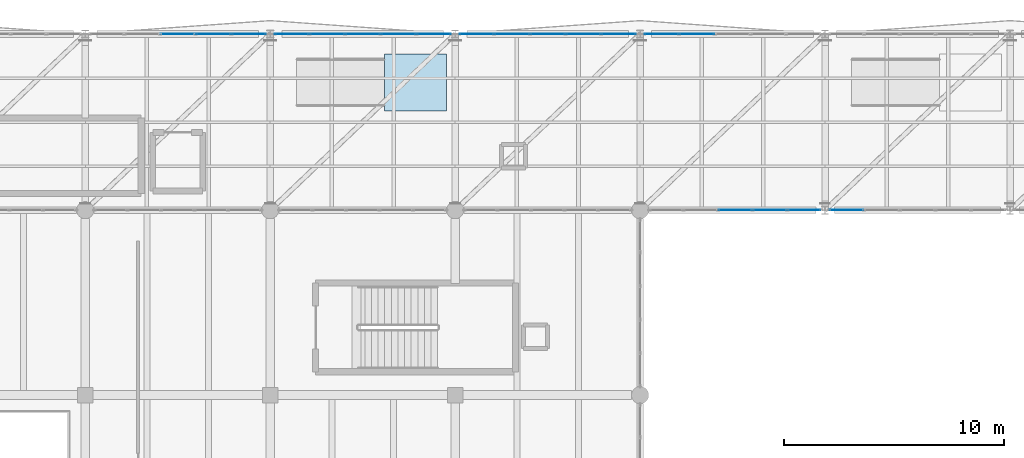
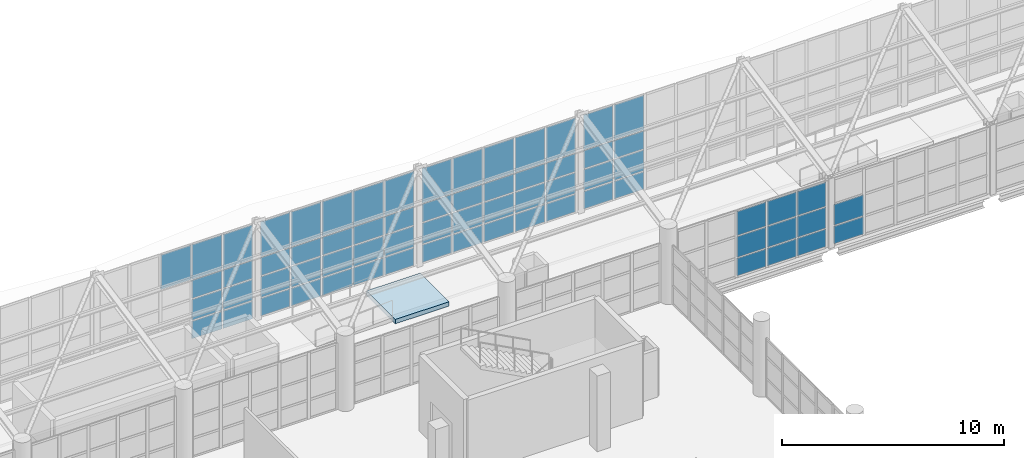
# One storey, part 136 of 177: 68 plates, 1 slab, 6 elements without a shape of their own.
"""IFC4 building model written with IfcOpenShell, lengths in metres."""

from ifc_helpers import new_model, si_unit, direction, frame, origin, origin_2d, place, context, subcontext, project, spatial, polyline, rectangle, outline, extrude, material, layer, layer_set, type_object, element, aggregate, save


model = new_model("IFC4")

# Units and contexts
model_context = context("Model", 3, precision=1e-05, world=origin(), true_north=direction((0.0, 1.0)))
body_context = subcontext(model_context, "Body", "Model", "MODEL_VIEW")
ifc_project = project(units=[si_unit("LENGTHUNIT", "METRE"), si_unit("AREAUNIT", "SQUARE_METRE"), si_unit("VOLUMEUNIT", "CUBIC_METRE"), si_unit("PLANEANGLEUNIT", "RADIAN"), si_unit("MASSUNIT", "GRAM", prefix="KILO"), si_unit("THERMODYNAMICTEMPERATUREUNIT", "KELVIN"), si_unit("POWERUNIT", "WATT")], contexts=[model_context])

# Site, building, storey
site_placement = place(None, origin())
site = spatial("IfcSite", under=ifc_project, at=site_placement, CompositionType="ELEMENT")
building_placement = place(site_placement, origin())
building = spatial("IfcBuilding", under=site, at=building_placement, Name="Mavoryth Pier Ferry Terminal", CompositionType="ELEMENT")
storey_placement = place(building_placement, frame((0.0, 0.0, 5.43994140625)))
storey = spatial("IfcBuildingStorey", under=building, at=storey_placement, Name="L01", CompositionType="ELEMENT", Elevation=5.43994140625)

# Curtain wall, plates
ifc_material_1 = material(Name="Anodised Aluminium and Solar-Control Low-E Glass", Category="aluminium")
ifc_layer_1 = layer(ifc_material_1, 0.139892578125, Name="Anodised Aluminium and Solar-Control Low-E Glass", Category="aluminium")
ifc_layer_set_1 = layer_set([ifc_layer_1], Name="Anodised Aluminium and Solar-Control Low-E Glass - CW-Gallery-Mod1600")
curtain_wall_type = type_object("IfcCurtainWallType", Name="CW-Gallery-Mod1600", PredefinedType="USERDEFINED", material=ifc_layer_set_1)
curtain_wall_1_placement = place(storey_placement, origin())
curtain_wall_1 = element("IfcCurtainWall", 1, at=curtain_wall_1_placement, inside=storey, type_object=curtain_wall_type, Name="Curtain Wall CW-0122-079", ObjectType="UNITISED CURTAIN WALL", PredefinedType="USERDEFINED")
ifc_material_2 = material(Name="Solar-Control Low-E Laminated Double Glazing", Category="glass")
ifc_layer_2 = layer(ifc_material_2, 0.02392578125, Name="Solar-Control Low-E Laminated Double Glazing", Category="glass")
ifc_layer_set_2 = layer_set([ifc_layer_2], Name="Solar-Control Low-E Laminated Double Glazing - Panel-LowE-DGU-24")
plate_type = type_object("IfcPlateType", Name="Panel-LowE-DGU-24", PredefinedType="CURTAIN_PANEL", material=ifc_layer_set_2)
plate_1_placement = place(storey_placement, frame((74.625, 114.0, 0.06005859375), z_axis=(0.0, 0.0, 1.0), x_axis=(-1.0, 0.0, 0.0)))
plate_1 = element("IfcPlate", 2, at=plate_1_placement, type_object=plate_type, Name="CW05 panel 1.1", PredefinedType="CURTAIN_PANEL", context=body_context, shape_type="SweptSolid", body=[
    extrude(rectangle(XDim=1.530029296875, YDim=0.02392578125, at=origin_2d()), origin(), (0.0, 0.0, 1.0), 0.9599609375),
])
plate_2_placement = place(storey_placement, frame((74.625, 114.0, 1.080078125), z_axis=(0.0, 0.0, 1.0), x_axis=(-1.0, 0.0, 0.0)))
plate_2 = element("IfcPlate", 3, at=plate_2_placement, type_object=plate_type, Name="CW05 panel 1.2", PredefinedType="CURTAIN_PANEL", context=body_context, shape_type="SweptSolid", body=[
    extrude(rectangle(XDim=1.530029296875, YDim=0.02392578125, at=origin_2d()), origin(), (0.0, 0.0, 1.0), 1.139892578125),
])
plate_3_placement = place(storey_placement, frame((74.625, 114.0, 2.2802734375), z_axis=(0.0, 0.0, 1.0), x_axis=(-1.0, 0.0, 0.0)))
plate_3 = element("IfcPlate", 4, at=plate_3_placement, type_object=plate_type, Name="CW05 panel 1.3", PredefinedType="CURTAIN_PANEL", context=body_context, shape_type="SweptSolid", body=[
    extrude(rectangle(XDim=1.530029296875, YDim=0.02392578125, at=origin_2d()), origin(), (0.0, 0.0, 1.0), 0.989990234375),
])
plate_4_placement = place(storey_placement, frame((74.625, 114.0, 3.330078125), z_axis=(0.0, 0.0, 1.0), x_axis=(-1.0, 0.0, 0.0)))
plate_4 = element("IfcPlate", 5, at=plate_4_placement, type_object=plate_type, Name="CW05 panel 1.4", PredefinedType="CURTAIN_PANEL", context=body_context, shape_type="SweptSolid", body=[
    extrude(rectangle(XDim=1.530029296875, YDim=0.02392578125, at=origin_2d()), origin(), (0.0, 0.0, 1.0), 1.897705078125),
])
plate_5_placement = place(storey_placement, frame((73.02001953125, 114.0, 0.06005859375), z_axis=(0.0, 0.0, 1.0), x_axis=(-1.0, 0.0, 0.0)))
plate_5 = element("IfcPlate", 6, at=plate_5_placement, type_object=plate_type, Name="CW05 panel 2.1", PredefinedType="CURTAIN_PANEL", context=body_context, shape_type="SweptSolid", body=[
    extrude(rectangle(XDim=1.56005859375, YDim=0.02392578125, at=origin_2d()), origin(), (0.0, 0.0, 1.0), 0.9599609375),
])
plate_6_placement = place(storey_placement, frame((73.02001953125, 114.0, 1.080078125), z_axis=(0.0, 0.0, 1.0), x_axis=(-1.0, 0.0, 0.0)))
plate_6 = element("IfcPlate", 7, at=plate_6_placement, type_object=plate_type, Name="CW05 panel 2.2", PredefinedType="CURTAIN_PANEL", context=body_context, shape_type="SweptSolid", body=[
    extrude(rectangle(XDim=1.56005859375, YDim=0.02392578125, at=origin_2d()), origin(), (0.0, 0.0, 1.0), 1.139892578125),
])
plate_7_placement = place(storey_placement, frame((73.02001953125, 114.0, 2.2802734375), z_axis=(0.0, 0.0, 1.0), x_axis=(-1.0, 0.0, 0.0)))
plate_7 = element("IfcPlate", 8, at=plate_7_placement, type_object=plate_type, Name="CW05 panel 2.3", PredefinedType="CURTAIN_PANEL", context=body_context, shape_type="SweptSolid", body=[
    extrude(rectangle(XDim=1.56005859375, YDim=0.02392578125, at=origin_2d()), origin(), (0.0, 0.0, 1.0), 0.989990234375),
])
plate_8_placement = place(storey_placement, frame((73.02001953125, 114.0, 3.330078125), z_axis=(0.0, 0.0, 1.0), x_axis=(-1.0, 0.0, 0.0)))
plate_8 = element("IfcPlate", 9, at=plate_8_placement, type_object=plate_type, Name="CW05 panel 2.4", PredefinedType="CURTAIN_PANEL", context=body_context, shape_type="SweptSolid", body=[
    extrude(rectangle(XDim=1.56005859375, YDim=0.02392578125, at=origin_2d()), origin(), (0.0, 0.0, 1.0), 1.897705078125),
])
plate_9_placement = place(storey_placement, frame((71.39990234375, 114.0, 3.330078125), z_axis=(0.0, 0.0, 1.0), x_axis=(-1.0, 0.0, 0.0)))
plate_9 = element("IfcPlate", 10, at=plate_9_placement, type_object=plate_type, Name="CW05 panel 3.4", PredefinedType="CURTAIN_PANEL", context=body_context, shape_type="SweptSolid", body=[
    extrude(rectangle(XDim=1.56005859375, YDim=0.02392578125, at=origin_2d()), origin(), (0.0, 0.0, 1.0), 1.897705078125),
])
aggregate(curtain_wall_1, [plate_1, plate_2, plate_3, plate_4, plate_5, plate_6, plate_7, plate_8, plate_9])

curtain_wall_2_placement = place(storey_placement, origin())
curtain_wall_2 = element("IfcCurtainWall", 11, at=curtain_wall_2_placement, inside=storey, type_object=curtain_wall_type, Name="Curtain Wall CW-0122-080", ObjectType="UNITISED CURTAIN WALL", PredefinedType="USERDEFINED")
plate_10_placement = place(storey_placement, frame((83.02490234375, 114.0, 0.06005859375), z_axis=(0.0, 0.0, 1.0), x_axis=(-1.0, 0.0, 0.0)))
plate_10 = element("IfcPlate", 12, at=plate_10_placement, type_object=plate_type, Name="CW05 panel 1.1", PredefinedType="CURTAIN_PANEL", context=body_context, shape_type="SweptSolid", body=[
    extrude(rectangle(XDim=1.530029296875, YDim=0.02392578125, at=origin_2d()), origin(), (0.0, 0.0, 1.0), 0.9599609375),
])
plate_11_placement = place(storey_placement, frame((83.02490234375, 114.0, 1.080078125), z_axis=(0.0, 0.0, 1.0), x_axis=(-1.0, 0.0, 0.0)))
plate_11 = element("IfcPlate", 13, at=plate_11_placement, type_object=plate_type, Name="CW05 panel 1.2", PredefinedType="CURTAIN_PANEL", context=body_context, shape_type="SweptSolid", body=[
    extrude(rectangle(XDim=1.530029296875, YDim=0.02392578125, at=origin_2d()), origin(), (0.0, 0.0, 1.0), 1.139892578125),
])
plate_12_placement = place(storey_placement, frame((83.02490234375, 114.0, 2.2802734375), z_axis=(0.0, 0.0, 1.0), x_axis=(-1.0, 0.0, 0.0)))
plate_12 = element("IfcPlate", 14, at=plate_12_placement, type_object=plate_type, Name="CW05 panel 1.3", PredefinedType="CURTAIN_PANEL", context=body_context, shape_type="SweptSolid", body=[
    extrude(rectangle(XDim=1.530029296875, YDim=0.02392578125, at=origin_2d()), origin(), (0.0, 0.0, 1.0), 0.989990234375),
])
plate_13_placement = place(storey_placement, frame((83.02490234375, 114.0, 3.330078125), z_axis=(0.0, 0.0, 1.0), x_axis=(-1.0, 0.0, 0.0)))
plate_13 = element("IfcPlate", 15, at=plate_13_placement, type_object=plate_type, Name="CW05 panel 1.4", PredefinedType="CURTAIN_PANEL", context=body_context, shape_type="SweptSolid", body=[
    extrude(rectangle(XDim=1.530029296875, YDim=0.02392578125, at=origin_2d()), origin(), (0.0, 0.0, 1.0), 1.897705078125),
])
plate_14_placement = place(storey_placement, frame((81.419921875, 114.0, 0.06005859375), z_axis=(0.0, 0.0, 1.0), x_axis=(-1.0, 0.0, 0.0)))
plate_14 = element("IfcPlate", 16, at=plate_14_placement, type_object=plate_type, Name="CW05 panel 2.1", PredefinedType="CURTAIN_PANEL", context=body_context, shape_type="SweptSolid", body=[
    extrude(rectangle(XDim=1.56005859375, YDim=0.02392578125, at=origin_2d()), origin(), (0.0, 0.0, 1.0), 0.9599609375),
])
plate_15_placement = place(storey_placement, frame((81.419921875, 114.0, 1.080078125), z_axis=(0.0, 0.0, 1.0), x_axis=(-1.0, 0.0, 0.0)))
plate_15 = element("IfcPlate", 17, at=plate_15_placement, type_object=plate_type, Name="CW05 panel 2.2", PredefinedType="CURTAIN_PANEL", context=body_context, shape_type="SweptSolid", body=[
    extrude(rectangle(XDim=1.56005859375, YDim=0.02392578125, at=origin_2d()), origin(), (0.0, 0.0, 1.0), 1.139892578125),
])
plate_16_placement = place(storey_placement, frame((81.419921875, 114.0, 2.2802734375), z_axis=(0.0, 0.0, 1.0), x_axis=(-1.0, 0.0, 0.0)))
plate_16 = element("IfcPlate", 18, at=plate_16_placement, type_object=plate_type, Name="CW05 panel 2.3", PredefinedType="CURTAIN_PANEL", context=body_context, shape_type="SweptSolid", body=[
    extrude(rectangle(XDim=1.56005859375, YDim=0.02392578125, at=origin_2d()), origin(), (0.0, 0.0, 1.0), 0.989990234375),
])
plate_17_placement = place(storey_placement, frame((81.419921875, 114.0, 3.330078125), z_axis=(0.0, 0.0, 1.0), x_axis=(-1.0, 0.0, 0.0)))
plate_17 = element("IfcPlate", 19, at=plate_17_placement, type_object=plate_type, Name="CW05 panel 2.4", PredefinedType="CURTAIN_PANEL", context=body_context, shape_type="SweptSolid", body=[
    extrude(rectangle(XDim=1.56005859375, YDim=0.02392578125, at=origin_2d()), origin(), (0.0, 0.0, 1.0), 1.897705078125),
])
plate_18_placement = place(storey_placement, frame((79.800048828125, 114.0, 0.06005859375), z_axis=(0.0, 0.0, 1.0), x_axis=(-1.0, 0.0, 0.0)))
plate_18 = element("IfcPlate", 20, at=plate_18_placement, type_object=plate_type, Name="CW05 panel 3.1", PredefinedType="CURTAIN_PANEL", context=body_context, shape_type="SweptSolid", body=[
    extrude(rectangle(XDim=1.56005859375, YDim=0.02392578125, at=origin_2d()), origin(), (0.0, 0.0, 1.0), 0.9599609375),
])
plate_19_placement = place(storey_placement, frame((79.800048828125, 114.0, 1.080078125), z_axis=(0.0, 0.0, 1.0), x_axis=(-1.0, 0.0, 0.0)))
plate_19 = element("IfcPlate", 21, at=plate_19_placement, type_object=plate_type, Name="CW05 panel 3.2", PredefinedType="CURTAIN_PANEL", context=body_context, shape_type="SweptSolid", body=[
    extrude(rectangle(XDim=1.56005859375, YDim=0.02392578125, at=origin_2d()), origin(), (0.0, 0.0, 1.0), 1.139892578125),
])
plate_20_placement = place(storey_placement, frame((79.800048828125, 114.0, 2.2802734375), z_axis=(0.0, 0.0, 1.0), x_axis=(-1.0, 0.0, 0.0)))
plate_20 = element("IfcPlate", 22, at=plate_20_placement, type_object=plate_type, Name="CW05 panel 3.3", PredefinedType="CURTAIN_PANEL", context=body_context, shape_type="SweptSolid", body=[
    extrude(rectangle(XDim=1.56005859375, YDim=0.02392578125, at=origin_2d()), origin(), (0.0, 0.0, 1.0), 0.989990234375),
])
plate_21_placement = place(storey_placement, frame((79.800048828125, 114.0, 3.330078125), z_axis=(0.0, 0.0, 1.0), x_axis=(-1.0, 0.0, 0.0)))
plate_21 = element("IfcPlate", 23, at=plate_21_placement, type_object=plate_type, Name="CW05 panel 3.4", PredefinedType="CURTAIN_PANEL", context=body_context, shape_type="SweptSolid", body=[
    extrude(rectangle(XDim=1.56005859375, YDim=0.02392578125, at=origin_2d()), origin(), (0.0, 0.0, 1.0), 1.897705078125),
])
plate_22_placement = place(storey_placement, frame((78.179931640625, 114.0, 0.06005859375), z_axis=(0.0, 0.0, 1.0), x_axis=(-1.0, 0.0, 0.0)))
plate_22 = element("IfcPlate", 24, at=plate_22_placement, type_object=plate_type, Name="CW05 panel 4.1", PredefinedType="CURTAIN_PANEL", context=body_context, shape_type="SweptSolid", body=[
    extrude(rectangle(XDim=1.56005859375, YDim=0.02392578125, at=origin_2d()), origin(), (0.0, 0.0, 1.0), 0.9599609375),
])
plate_23_placement = place(storey_placement, frame((78.179931640625, 114.0, 1.080078125), z_axis=(0.0, 0.0, 1.0), x_axis=(-1.0, 0.0, 0.0)))
plate_23 = element("IfcPlate", 25, at=plate_23_placement, type_object=plate_type, Name="CW05 panel 4.2", PredefinedType="CURTAIN_PANEL", context=body_context, shape_type="SweptSolid", body=[
    extrude(rectangle(XDim=1.56005859375, YDim=0.02392578125, at=origin_2d()), origin(), (0.0, 0.0, 1.0), 1.139892578125),
])
plate_24_placement = place(storey_placement, frame((78.179931640625, 114.0, 2.2802734375), z_axis=(0.0, 0.0, 1.0), x_axis=(-1.0, 0.0, 0.0)))
plate_24 = element("IfcPlate", 26, at=plate_24_placement, type_object=plate_type, Name="CW05 panel 4.3", PredefinedType="CURTAIN_PANEL", context=body_context, shape_type="SweptSolid", body=[
    extrude(rectangle(XDim=1.56005859375, YDim=0.02392578125, at=origin_2d()), origin(), (0.0, 0.0, 1.0), 0.989990234375),
])
plate_25_placement = place(storey_placement, frame((78.179931640625, 114.0, 3.330078125), z_axis=(0.0, 0.0, 1.0), x_axis=(-1.0, 0.0, 0.0)))
plate_25 = element("IfcPlate", 27, at=plate_25_placement, type_object=plate_type, Name="CW05 panel 4.4", PredefinedType="CURTAIN_PANEL", context=body_context, shape_type="SweptSolid", body=[
    extrude(rectangle(XDim=1.56005859375, YDim=0.02392578125, at=origin_2d()), origin(), (0.0, 0.0, 1.0), 1.897705078125),
])
plate_26_placement = place(storey_placement, frame((76.574951171875, 114.0, 0.06005859375), z_axis=(0.0, 0.0, 1.0), x_axis=(-1.0, 0.0, 0.0)))
plate_26 = element("IfcPlate", 28, at=plate_26_placement, type_object=plate_type, Name="CW05 panel 5.1", PredefinedType="CURTAIN_PANEL", context=body_context, shape_type="SweptSolid", body=[
    extrude(rectangle(XDim=1.530029296875, YDim=0.02392578125, at=origin_2d()), origin(), (0.0, 0.0, 1.0), 0.9599609375),
])
plate_27_placement = place(storey_placement, frame((76.574951171875, 114.0, 1.080078125), z_axis=(0.0, 0.0, 1.0), x_axis=(-1.0, 0.0, 0.0)))
plate_27 = element("IfcPlate", 29, at=plate_27_placement, type_object=plate_type, Name="CW05 panel 5.2", PredefinedType="CURTAIN_PANEL", context=body_context, shape_type="SweptSolid", body=[
    extrude(rectangle(XDim=1.530029296875, YDim=0.02392578125, at=origin_2d()), origin(), (0.0, 0.0, 1.0), 1.139892578125),
])
plate_28_placement = place(storey_placement, frame((76.574951171875, 114.0, 2.2802734375), z_axis=(0.0, 0.0, 1.0), x_axis=(-1.0, 0.0, 0.0)))
plate_28 = element("IfcPlate", 30, at=plate_28_placement, type_object=plate_type, Name="CW05 panel 5.3", PredefinedType="CURTAIN_PANEL", context=body_context, shape_type="SweptSolid", body=[
    extrude(rectangle(XDim=1.530029296875, YDim=0.02392578125, at=origin_2d()), origin(), (0.0, 0.0, 1.0), 0.989990234375),
])
plate_29_placement = place(storey_placement, frame((76.574951171875, 114.0, 3.330078125), z_axis=(0.0, 0.0, 1.0), x_axis=(-1.0, 0.0, 0.0)))
plate_29 = element("IfcPlate", 31, at=plate_29_placement, type_object=plate_type, Name="CW05 panel 5.4", PredefinedType="CURTAIN_PANEL", context=body_context, shape_type="SweptSolid", body=[
    extrude(rectangle(XDim=1.530029296875, YDim=0.02392578125, at=origin_2d()), origin(), (0.0, 0.0, 1.0), 1.897705078125),
])
aggregate(curtain_wall_2, [plate_10, plate_11, plate_12, plate_13, plate_14, plate_15, plate_16, plate_17, plate_18, plate_19, plate_20, plate_21, plate_22, plate_23, plate_24, plate_25, plate_26, plate_27, plate_28, plate_29])

curtain_wall_3_placement = place(storey_placement, origin())
curtain_wall_3 = element("IfcCurtainWall", 32, at=curtain_wall_3_placement, inside=storey, type_object=curtain_wall_type, Name="Curtain Wall CW-0122-081", ObjectType="UNITISED CURTAIN WALL", PredefinedType="USERDEFINED")
plate_30_placement = place(storey_placement, frame((91.425048828125, 114.0, 0.06005859375), z_axis=(0.0, 0.0, 1.0), x_axis=(-1.0, 0.0, 0.0)))
plate_30 = element("IfcPlate", 33, at=plate_30_placement, type_object=plate_type, Name="CW05 panel 1.1", PredefinedType="CURTAIN_PANEL", context=body_context, shape_type="SweptSolid", body=[
    extrude(rectangle(XDim=1.530029296875, YDim=0.02392578125, at=origin_2d()), origin(), (0.0, 0.0, 1.0), 0.9599609375),
])
plate_31_placement = place(storey_placement, frame((91.425048828125, 114.0, 1.080078125), z_axis=(0.0, 0.0, 1.0), x_axis=(-1.0, 0.0, 0.0)))
plate_31 = element("IfcPlate", 34, at=plate_31_placement, type_object=plate_type, Name="CW05 panel 1.2", PredefinedType="CURTAIN_PANEL", context=body_context, shape_type="SweptSolid", body=[
    extrude(rectangle(XDim=1.530029296875, YDim=0.02392578125, at=origin_2d()), origin(), (0.0, 0.0, 1.0), 1.139892578125),
])
plate_32_placement = place(storey_placement, frame((91.425048828125, 114.0, 2.2802734375), z_axis=(0.0, 0.0, 1.0), x_axis=(-1.0, 0.0, 0.0)))
plate_32 = element("IfcPlate", 35, at=plate_32_placement, type_object=plate_type, Name="CW05 panel 1.3", PredefinedType="CURTAIN_PANEL", context=body_context, shape_type="SweptSolid", body=[
    extrude(rectangle(XDim=1.530029296875, YDim=0.02392578125, at=origin_2d()), origin(), (0.0, 0.0, 1.0), 0.989990234375),
])
plate_33_placement = place(storey_placement, frame((91.425048828125, 114.0, 3.330078125), z_axis=(0.0, 0.0, 1.0), x_axis=(-1.0, 0.0, 0.0)))
plate_33 = element("IfcPlate", 36, at=plate_33_placement, type_object=plate_type, Name="CW05 panel 1.4", PredefinedType="CURTAIN_PANEL", context=body_context, shape_type="SweptSolid", body=[
    extrude(rectangle(XDim=1.530029296875, YDim=0.02392578125, at=origin_2d()), origin(), (0.0, 0.0, 1.0), 1.897705078125),
])
plate_34_placement = place(storey_placement, frame((89.820068359375, 114.0, 0.06005859375), z_axis=(0.0, 0.0, 1.0), x_axis=(-1.0, 0.0, 0.0)))
plate_34 = element("IfcPlate", 37, at=plate_34_placement, type_object=plate_type, Name="CW05 panel 2.1", PredefinedType="CURTAIN_PANEL", context=body_context, shape_type="SweptSolid", body=[
    extrude(rectangle(XDim=1.56005859375, YDim=0.02392578125, at=origin_2d()), origin(), (0.0, 0.0, 1.0), 0.9599609375),
])
plate_35_placement = place(storey_placement, frame((89.820068359375, 114.0, 1.080078125), z_axis=(0.0, 0.0, 1.0), x_axis=(-1.0, 0.0, 0.0)))
plate_35 = element("IfcPlate", 38, at=plate_35_placement, type_object=plate_type, Name="CW05 panel 2.2", PredefinedType="CURTAIN_PANEL", context=body_context, shape_type="SweptSolid", body=[
    extrude(rectangle(XDim=1.56005859375, YDim=0.02392578125, at=origin_2d()), origin(), (0.0, 0.0, 1.0), 1.139892578125),
])
plate_36_placement = place(storey_placement, frame((89.820068359375, 114.0, 2.2802734375), z_axis=(0.0, 0.0, 1.0), x_axis=(-1.0, 0.0, 0.0)))
plate_36 = element("IfcPlate", 39, at=plate_36_placement, type_object=plate_type, Name="CW05 panel 2.3", PredefinedType="CURTAIN_PANEL", context=body_context, shape_type="SweptSolid", body=[
    extrude(rectangle(XDim=1.56005859375, YDim=0.02392578125, at=origin_2d()), origin(), (0.0, 0.0, 1.0), 0.989990234375),
])
plate_37_placement = place(storey_placement, frame((89.820068359375, 114.0, 3.330078125), z_axis=(0.0, 0.0, 1.0), x_axis=(-1.0, 0.0, 0.0)))
plate_37 = element("IfcPlate", 40, at=plate_37_placement, type_object=plate_type, Name="CW05 panel 2.4", PredefinedType="CURTAIN_PANEL", context=body_context, shape_type="SweptSolid", body=[
    extrude(rectangle(XDim=1.56005859375, YDim=0.02392578125, at=origin_2d()), origin(), (0.0, 0.0, 1.0), 1.897705078125),
])
plate_38_placement = place(storey_placement, frame((88.199951171875, 114.0, 0.06005859375), z_axis=(0.0, 0.0, 1.0), x_axis=(-1.0, 0.0, 0.0)))
plate_38 = element("IfcPlate", 41, at=plate_38_placement, type_object=plate_type, Name="CW05 panel 3.1", PredefinedType="CURTAIN_PANEL", context=body_context, shape_type="SweptSolid", body=[
    extrude(rectangle(XDim=1.56005859375, YDim=0.02392578125, at=origin_2d()), origin(), (0.0, 0.0, 1.0), 0.9599609375),
])
plate_39_placement = place(storey_placement, frame((88.199951171875, 114.0, 1.080078125), z_axis=(0.0, 0.0, 1.0), x_axis=(-1.0, 0.0, 0.0)))
plate_39 = element("IfcPlate", 42, at=plate_39_placement, type_object=plate_type, Name="CW05 panel 3.2", PredefinedType="CURTAIN_PANEL", context=body_context, shape_type="SweptSolid", body=[
    extrude(rectangle(XDim=1.56005859375, YDim=0.02392578125, at=origin_2d()), origin(), (0.0, 0.0, 1.0), 1.139892578125),
])
plate_40_placement = place(storey_placement, frame((88.199951171875, 114.0, 2.2802734375), z_axis=(0.0, 0.0, 1.0), x_axis=(-1.0, 0.0, 0.0)))
plate_40 = element("IfcPlate", 43, at=plate_40_placement, type_object=plate_type, Name="CW05 panel 3.3", PredefinedType="CURTAIN_PANEL", context=body_context, shape_type="SweptSolid", body=[
    extrude(rectangle(XDim=1.56005859375, YDim=0.02392578125, at=origin_2d()), origin(), (0.0, 0.0, 1.0), 0.989990234375),
])
plate_41_placement = place(storey_placement, frame((88.199951171875, 114.0, 3.330078125), z_axis=(0.0, 0.0, 1.0), x_axis=(-1.0, 0.0, 0.0)))
plate_41 = element("IfcPlate", 44, at=plate_41_placement, type_object=plate_type, Name="CW05 panel 3.4", PredefinedType="CURTAIN_PANEL", context=body_context, shape_type="SweptSolid", body=[
    extrude(rectangle(XDim=1.56005859375, YDim=0.02392578125, at=origin_2d()), origin(), (0.0, 0.0, 1.0), 1.897705078125),
])
plate_42_placement = place(storey_placement, frame((86.580078125, 114.0, 0.06005859375), z_axis=(0.0, 0.0, 1.0), x_axis=(-1.0, 0.0, 0.0)))
plate_42 = element("IfcPlate", 45, at=plate_42_placement, type_object=plate_type, Name="CW05 panel 4.1", PredefinedType="CURTAIN_PANEL", context=body_context, shape_type="SweptSolid", body=[
    extrude(rectangle(XDim=1.56005859375, YDim=0.02392578125, at=origin_2d()), origin(), (0.0, 0.0, 1.0), 0.9599609375),
])
plate_43_placement = place(storey_placement, frame((86.580078125, 114.0, 1.080078125), z_axis=(0.0, 0.0, 1.0), x_axis=(-1.0, 0.0, 0.0)))
plate_43 = element("IfcPlate", 46, at=plate_43_placement, type_object=plate_type, Name="CW05 panel 4.2", PredefinedType="CURTAIN_PANEL", context=body_context, shape_type="SweptSolid", body=[
    extrude(rectangle(XDim=1.56005859375, YDim=0.02392578125, at=origin_2d()), origin(), (0.0, 0.0, 1.0), 1.139892578125),
])
plate_44_placement = place(storey_placement, frame((86.580078125, 114.0, 2.2802734375), z_axis=(0.0, 0.0, 1.0), x_axis=(-1.0, 0.0, 0.0)))
plate_44 = element("IfcPlate", 47, at=plate_44_placement, type_object=plate_type, Name="CW05 panel 4.3", PredefinedType="CURTAIN_PANEL", context=body_context, shape_type="SweptSolid", body=[
    extrude(rectangle(XDim=1.56005859375, YDim=0.02392578125, at=origin_2d()), origin(), (0.0, 0.0, 1.0), 0.989990234375),
])
plate_45_placement = place(storey_placement, frame((86.580078125, 114.0, 3.330078125), z_axis=(0.0, 0.0, 1.0), x_axis=(-1.0, 0.0, 0.0)))
plate_45 = element("IfcPlate", 48, at=plate_45_placement, type_object=plate_type, Name="CW05 panel 4.4", PredefinedType="CURTAIN_PANEL", context=body_context, shape_type="SweptSolid", body=[
    extrude(rectangle(XDim=1.56005859375, YDim=0.02392578125, at=origin_2d()), origin(), (0.0, 0.0, 1.0), 1.897705078125),
])
plate_46_placement = place(storey_placement, frame((84.97509765625, 114.0, 0.06005859375), z_axis=(0.0, 0.0, 1.0), x_axis=(-1.0, 0.0, 0.0)))
plate_46 = element("IfcPlate", 49, at=plate_46_placement, type_object=plate_type, Name="CW05 panel 5.1", PredefinedType="CURTAIN_PANEL", context=body_context, shape_type="SweptSolid", body=[
    extrude(rectangle(XDim=1.530029296875, YDim=0.02392578125, at=origin_2d()), origin(), (0.0, 0.0, 1.0), 0.9599609375),
])
plate_47_placement = place(storey_placement, frame((84.97509765625, 114.0, 1.080078125), z_axis=(0.0, 0.0, 1.0), x_axis=(-1.0, 0.0, 0.0)))
plate_47 = element("IfcPlate", 50, at=plate_47_placement, type_object=plate_type, Name="CW05 panel 5.2", PredefinedType="CURTAIN_PANEL", context=body_context, shape_type="SweptSolid", body=[
    extrude(rectangle(XDim=1.530029296875, YDim=0.02392578125, at=origin_2d()), origin(), (0.0, 0.0, 1.0), 1.139892578125),
])
plate_48_placement = place(storey_placement, frame((84.97509765625, 114.0, 2.2802734375), z_axis=(0.0, 0.0, 1.0), x_axis=(-1.0, 0.0, 0.0)))
plate_48 = element("IfcPlate", 51, at=plate_48_placement, type_object=plate_type, Name="CW05 panel 5.3", PredefinedType="CURTAIN_PANEL", context=body_context, shape_type="SweptSolid", body=[
    extrude(rectangle(XDim=1.530029296875, YDim=0.02392578125, at=origin_2d()), origin(), (0.0, 0.0, 1.0), 0.989990234375),
])
plate_49_placement = place(storey_placement, frame((84.97509765625, 114.0, 3.330078125), z_axis=(0.0, 0.0, 1.0), x_axis=(-1.0, 0.0, 0.0)))
plate_49 = element("IfcPlate", 52, at=plate_49_placement, type_object=plate_type, Name="CW05 panel 5.4", PredefinedType="CURTAIN_PANEL", context=body_context, shape_type="SweptSolid", body=[
    extrude(rectangle(XDim=1.530029296875, YDim=0.02392578125, at=origin_2d()), origin(), (0.0, 0.0, 1.0), 1.897705078125),
])
aggregate(curtain_wall_3, [plate_30, plate_31, plate_32, plate_33, plate_34, plate_35, plate_36, plate_37, plate_38, plate_39, plate_40, plate_41, plate_42, plate_43, plate_44, plate_45, plate_46, plate_47, plate_48, plate_49])

curtain_wall_4_placement = place(storey_placement, origin())
curtain_wall_4 = element("IfcCurtainWall", 53, at=curtain_wall_4_placement, inside=storey, type_object=curtain_wall_type, Name="Curtain Wall CW-0122-082", ObjectType="UNITISED CURTAIN WALL", PredefinedType="USERDEFINED")
plate_50_placement = place(storey_placement, frame((94.97998046875, 114.0, 0.06005859375), z_axis=(0.0, 0.0, 1.0), x_axis=(-1.0, 0.0, 0.0)))
plate_50 = element("IfcPlate", 54, at=plate_50_placement, type_object=plate_type, Name="CW05 panel 4.1", PredefinedType="CURTAIN_PANEL", context=body_context, shape_type="SweptSolid", body=[
    extrude(rectangle(XDim=1.56005859375, YDim=0.02392578125, at=origin_2d()), origin(), (0.0, 0.0, 1.0), 0.9599609375),
])
plate_51_placement = place(storey_placement, frame((94.97998046875, 114.0, 1.080078125), z_axis=(0.0, 0.0, 1.0), x_axis=(-1.0, 0.0, 0.0)))
plate_51 = element("IfcPlate", 55, at=plate_51_placement, type_object=plate_type, Name="CW05 panel 4.2", PredefinedType="CURTAIN_PANEL", context=body_context, shape_type="SweptSolid", body=[
    extrude(rectangle(XDim=1.56005859375, YDim=0.02392578125, at=origin_2d()), origin(), (0.0, 0.0, 1.0), 1.139892578125),
])
plate_52_placement = place(storey_placement, frame((94.97998046875, 114.0, 2.2802734375), z_axis=(0.0, 0.0, 1.0), x_axis=(-1.0, 0.0, 0.0)))
plate_52 = element("IfcPlate", 56, at=plate_52_placement, type_object=plate_type, Name="CW05 panel 4.3", PredefinedType="CURTAIN_PANEL", context=body_context, shape_type="SweptSolid", body=[
    extrude(rectangle(XDim=1.56005859375, YDim=0.02392578125, at=origin_2d()), origin(), (0.0, 0.0, 1.0), 0.989990234375),
])
plate_53_placement = place(storey_placement, frame((94.97998046875, 114.0, 3.330078125), z_axis=(0.0, 0.0, 1.0), x_axis=(-1.0, 0.0, 0.0)))
plate_53 = element("IfcPlate", 57, at=plate_53_placement, type_object=plate_type, Name="CW05 panel 4.4", PredefinedType="CURTAIN_PANEL", context=body_context, shape_type="SweptSolid", body=[
    extrude(rectangle(XDim=1.56005859375, YDim=0.02392578125, at=origin_2d()), origin(), (0.0, 0.0, 1.0), 1.897705078125),
])
plate_54_placement = place(storey_placement, frame((93.375, 114.0, 0.06005859375), z_axis=(0.0, 0.0, 1.0), x_axis=(-1.0, 0.0, 0.0)))
plate_54 = element("IfcPlate", 58, at=plate_54_placement, type_object=plate_type, Name="CW05 panel 5.1", PredefinedType="CURTAIN_PANEL", context=body_context, shape_type="SweptSolid", body=[
    extrude(rectangle(XDim=1.530029296875, YDim=0.02392578125, at=origin_2d()), origin(), (0.0, 0.0, 1.0), 0.9599609375),
])
plate_55_placement = place(storey_placement, frame((93.375, 114.0, 1.080078125), z_axis=(0.0, 0.0, 1.0), x_axis=(-1.0, 0.0, 0.0)))
plate_55 = element("IfcPlate", 59, at=plate_55_placement, type_object=plate_type, Name="CW05 panel 5.2", PredefinedType="CURTAIN_PANEL", context=body_context, shape_type="SweptSolid", body=[
    extrude(rectangle(XDim=1.530029296875, YDim=0.02392578125, at=origin_2d()), origin(), (0.0, 0.0, 1.0), 1.139892578125),
])
plate_56_placement = place(storey_placement, frame((93.375, 114.0, 2.2802734375), z_axis=(0.0, 0.0, 1.0), x_axis=(-1.0, 0.0, 0.0)))
plate_56 = element("IfcPlate", 60, at=plate_56_placement, type_object=plate_type, Name="CW05 panel 5.3", PredefinedType="CURTAIN_PANEL", context=body_context, shape_type="SweptSolid", body=[
    extrude(rectangle(XDim=1.530029296875, YDim=0.02392578125, at=origin_2d()), origin(), (0.0, 0.0, 1.0), 0.989990234375),
])
plate_57_placement = place(storey_placement, frame((93.375, 114.0, 3.330078125), z_axis=(0.0, 0.0, 1.0), x_axis=(-1.0, 0.0, 0.0)))
plate_57 = element("IfcPlate", 61, at=plate_57_placement, type_object=plate_type, Name="CW05 panel 5.4", PredefinedType="CURTAIN_PANEL", context=body_context, shape_type="SweptSolid", body=[
    extrude(rectangle(XDim=1.530029296875, YDim=0.02392578125, at=origin_2d()), origin(), (0.0, 0.0, 1.0), 1.897705078125),
])
aggregate(curtain_wall_4, [plate_50, plate_51, plate_52, plate_53, plate_54, plate_55, plate_56, plate_57])

curtain_wall_5_placement = place(storey_placement, origin())
curtain_wall_5 = element("IfcCurtainWall", 62, at=curtain_wall_5_placement, inside=storey, type_object=curtain_wall_type, Name="Curtain Wall CW-0122-083", ObjectType="UNITISED CURTAIN WALL", PredefinedType="USERDEFINED")
plate_58_placement = place(storey_placement, frame((96.719970703125, 106.0, 0.06005859375), z_axis=(0.0, 0.0, 1.0), x_axis=(1.0, 0.0, 0.0)))
plate_58 = element("IfcPlate", 63, at=plate_58_placement, type_object=plate_type, Name="CW05 panel 3.1", PredefinedType="CURTAIN_PANEL", context=body_context, shape_type="SweptSolid", body=[
    extrude(rectangle(XDim=1.511962890625, YDim=0.02392578125, at=origin_2d()), origin(), (0.0, 0.0, 1.0), 0.9599609375),
])
plate_59_placement = place(storey_placement, frame((96.719970703125, 106.0, 1.080078125), z_axis=(0.0, 0.0, 1.0), x_axis=(1.0, 0.0, 0.0)))
plate_59 = element("IfcPlate", 64, at=plate_59_placement, type_object=plate_type, Name="CW05 panel 3.2", PredefinedType="CURTAIN_PANEL", context=body_context, shape_type="SweptSolid", body=[
    extrude(rectangle(XDim=1.511962890625, YDim=0.02392578125, at=origin_2d()), origin(), (0.0, 0.0, 1.0), 1.139892578125),
])
plate_60_placement = place(storey_placement, frame((96.719970703125, 106.0, 2.27978515625), z_axis=(0.0, 0.0, 1.0), x_axis=(1.0, 0.0, 0.0)))
plate_60 = element("IfcPlate", 65, at=plate_60_placement, type_object=plate_type, Name="CW05 panel 3.3", PredefinedType="CURTAIN_PANEL", context=body_context, shape_type="SweptSolid", body=[
    extrude(rectangle(XDim=1.511962890625, YDim=0.02392578125, at=origin_2d()), origin(), (0.0, 0.0, 1.0), 1.320068359375),
])
plate_61_placement = place(storey_placement, frame((98.2919921875, 106.0, 0.06005859375), z_axis=(0.0, 0.0, 1.0), x_axis=(1.0, 0.0, 0.0)))
plate_61 = element("IfcPlate", 66, at=plate_61_placement, type_object=plate_type, Name="CW05 panel 4.1", PredefinedType="CURTAIN_PANEL", context=body_context, shape_type="SweptSolid", body=[
    extrude(rectangle(XDim=1.511962890625, YDim=0.02392578125, at=origin_2d()), origin(), (0.0, 0.0, 1.0), 0.9599609375),
])
plate_62_placement = place(storey_placement, frame((98.2919921875, 106.0, 1.080078125), z_axis=(0.0, 0.0, 1.0), x_axis=(1.0, 0.0, 0.0)))
plate_62 = element("IfcPlate", 67, at=plate_62_placement, type_object=plate_type, Name="CW05 panel 4.2", PredefinedType="CURTAIN_PANEL", context=body_context, shape_type="SweptSolid", body=[
    extrude(rectangle(XDim=1.511962890625, YDim=0.02392578125, at=origin_2d()), origin(), (0.0, 0.0, 1.0), 1.139892578125),
])
plate_63_placement = place(storey_placement, frame((98.2919921875, 106.0, 2.27978515625), z_axis=(0.0, 0.0, 1.0), x_axis=(1.0, 0.0, 0.0)))
plate_63 = element("IfcPlate", 68, at=plate_63_placement, type_object=plate_type, Name="CW05 panel 4.3", PredefinedType="CURTAIN_PANEL", context=body_context, shape_type="SweptSolid", body=[
    extrude(rectangle(XDim=1.511962890625, YDim=0.02392578125, at=origin_2d()), origin(), (0.0, 0.0, 1.0), 1.320068359375),
])
plate_64_placement = place(storey_placement, frame((99.84912109375, 106.0, 0.06005859375), z_axis=(0.0, 0.0, 1.0), x_axis=(1.0, 0.0, 0.0)))
plate_64 = element("IfcPlate", 69, at=plate_64_placement, type_object=plate_type, Name="CW05 panel 5.1", PredefinedType="CURTAIN_PANEL", context=body_context, shape_type="SweptSolid", body=[
    extrude(rectangle(XDim=1.48193359375, YDim=0.02392578125, at=origin_2d()), origin(), (0.0, 0.0, 1.0), 0.9599609375),
])
plate_65_placement = place(storey_placement, frame((99.84912109375, 106.0, 1.080078125), z_axis=(0.0, 0.0, 1.0), x_axis=(1.0, 0.0, 0.0)))
plate_65 = element("IfcPlate", 70, at=plate_65_placement, type_object=plate_type, Name="CW05 panel 5.2", PredefinedType="CURTAIN_PANEL", context=body_context, shape_type="SweptSolid", body=[
    extrude(rectangle(XDim=1.48193359375, YDim=0.02392578125, at=origin_2d()), origin(), (0.0, 0.0, 1.0), 1.139892578125),
])
plate_66_placement = place(storey_placement, frame((99.84912109375, 106.0, 2.27978515625), z_axis=(0.0, 0.0, 1.0), x_axis=(1.0, 0.0, 0.0)))
plate_66 = element("IfcPlate", 71, at=plate_66_placement, type_object=plate_type, Name="CW05 panel 5.3", PredefinedType="CURTAIN_PANEL", context=body_context, shape_type="SweptSolid", body=[
    extrude(rectangle(XDim=1.48193359375, YDim=0.02392578125, at=origin_2d()), origin(), (0.0, 0.0, 1.0), 1.320068359375),
])
aggregate(curtain_wall_5, [plate_58, plate_59, plate_60, plate_61, plate_62, plate_63, plate_64, plate_65, plate_66])

curtain_wall_6_placement = place(storey_placement, origin())
curtain_wall_6 = element("IfcCurtainWall", 72, at=curtain_wall_6_placement, inside=storey, type_object=curtain_wall_type, Name="Curtain Wall CW-0122-085", ObjectType="UNITISED CURTAIN WALL", PredefinedType="USERDEFINED")
plate_67_placement = place(storey_placement, frame((101.77490234375, 106.0, 0.06005859375), z_axis=(0.0, 0.0, 1.0), x_axis=(1.0, 0.0, 0.0)))
plate_67 = element("IfcPlate", 73, at=plate_67_placement, type_object=plate_type, Name="CW05 panel 1.1", PredefinedType="CURTAIN_PANEL", context=body_context, shape_type="SweptSolid", body=[
    extrude(rectangle(XDim=1.530029296875, YDim=0.02392578125, at=origin_2d()), origin(), (0.0, 0.0, 1.0), 0.9599609375),
])
plate_68_placement = place(storey_placement, frame((101.77490234375, 106.0, 1.080078125), z_axis=(0.0, 0.0, 1.0), x_axis=(1.0, 0.0, 0.0)))
plate_68 = element("IfcPlate", 74, at=plate_68_placement, type_object=plate_type, Name="CW05 panel 1.2", PredefinedType="CURTAIN_PANEL", context=body_context, shape_type="SweptSolid", body=[
    extrude(rectangle(XDim=1.530029296875, YDim=0.02392578125, at=origin_2d()), origin(), (0.0, 0.0, 1.0), 1.139892578125),
])
aggregate(curtain_wall_6, [plate_67, plate_68])

# Slab
ifc_material_3 = material(Name="Concrete C35/45", Category="concrete")
ifc_layer_3 = layer(ifc_material_3, 0.239990234375, Name="Concrete C35/45", Category="concrete")
ifc_layer_set_3 = layer_set([ifc_layer_3], Name="Concrete C35/45 - Slab-Floor-Bridge-240")
slab_type = type_object("IfcSlabType", Name="Slab-Floor-Bridge-240", PredefinedType="FLOOR", material=ifc_layer_set_3)
slab_placement = place(storey_placement, origin())
element("IfcSlab", 75, at=slab_placement, inside=storey, type_object=slab_type, Name="Slab SLB-BR01-TOP", PredefinedType="FLOOR", context=body_context, shape_type="SweptSolid", body=[
    extrude(outline(polyline([(80.800048828125, 110.5), (83.60009765625, 110.5), (83.60009765625, 113.10009765625), (80.800048828125, 113.10009765625), (80.800048828125, 110.5)])), origin(), (0.0, 0.0, 1.0), 0.239990234375),
])

save(model, "model.ifc")
